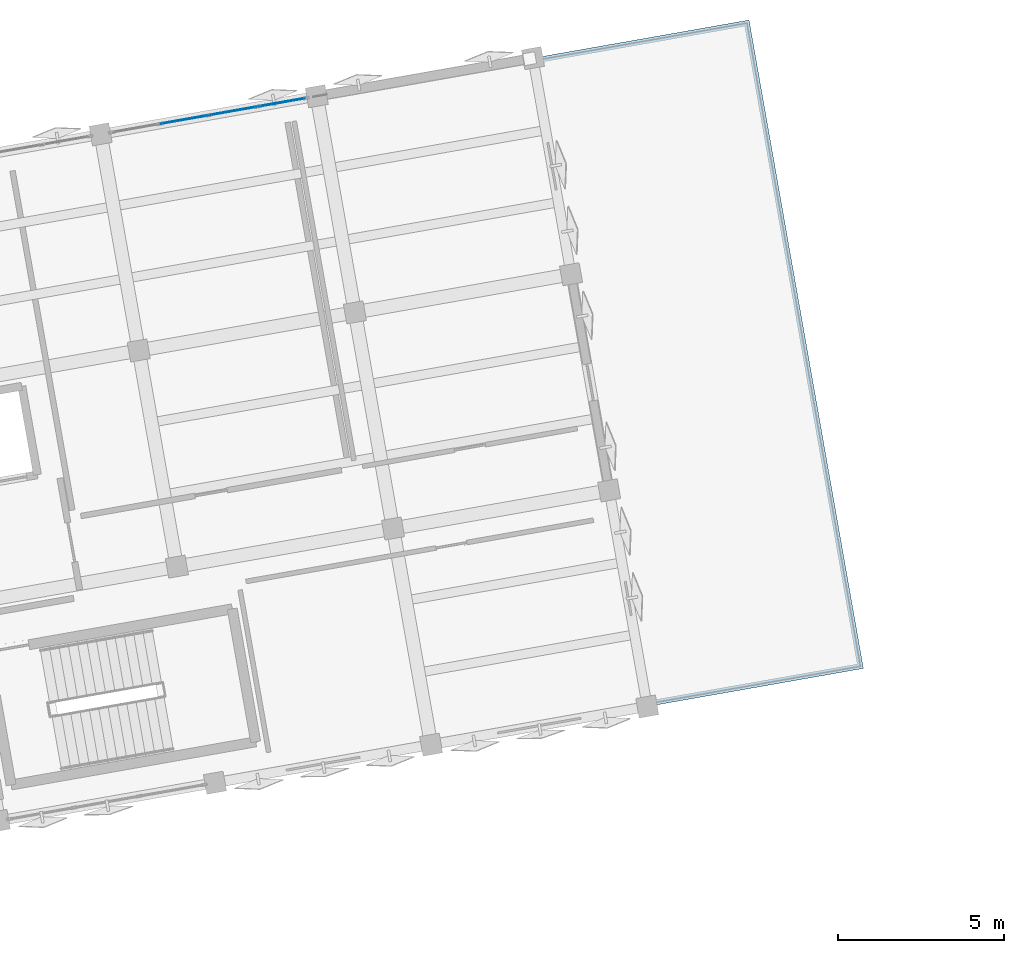
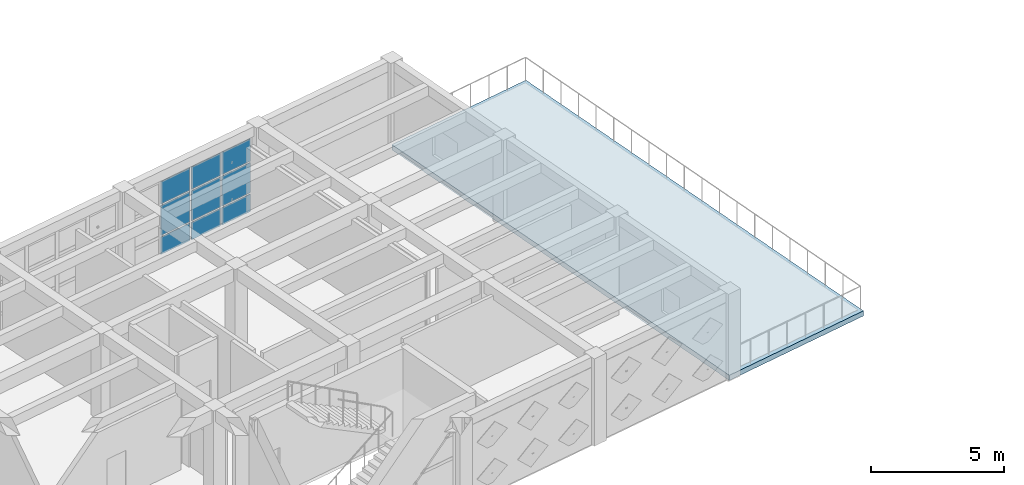
# One storey, part 10 of 18: 9 plates, 1 slab, 1 element without a shape of its own.
"""IFC4 building model written with IfcOpenShell, lengths in metres."""

from ifc_helpers import new_model, si_unit, direction, frame, origin, origin_2d, place, context, subcontext, project, spatial, polyline, rectangle, outline, extrude, material, layer, layer_set, type_object, element, aggregate, save


model = new_model("IFC4")

# Units and contexts
model_context = context("Model", 3, precision=1e-05, world=origin(), true_north=direction((0.0, 1.0)))
body_context = subcontext(model_context, "Body", "Model", "MODEL_VIEW")
ifc_project = project(units=[si_unit("LENGTHUNIT", "METRE"), si_unit("AREAUNIT", "SQUARE_METRE"), si_unit("VOLUMEUNIT", "CUBIC_METRE"), si_unit("PLANEANGLEUNIT", "RADIAN"), si_unit("MASSUNIT", "GRAM", prefix="KILO")], contexts=[model_context])

# Site, building, storey
site_placement = place(None, origin())
site = spatial("IfcSite", under=ifc_project, at=site_placement, CompositionType="ELEMENT")
building_placement = place(site_placement, origin())
building = spatial("IfcBuilding", under=site, at=building_placement, Name="Kharisveld Research Institute", CompositionType="ELEMENT")
storey_placement = place(building_placement, frame((0.0, 0.0, 36.60009765625)))
storey = spatial("IfcBuildingStorey", under=building, at=storey_placement, Name="L08", CompositionType="ELEMENT", Elevation=36.60009765625)

# Curtain wall, plates
ifc_material_1 = material(Name="Thermally Broken Aluminium Curtain Wall", Category="aluminium")
ifc_layer_1 = layer(ifc_material_1, 0.159912109375)
ifc_layer_set_1 = layer_set([ifc_layer_1], Name="CW_SYS_04")
curtain_wall_type = type_object("IfcCurtainWallType", Name="CW_SYS_04", PredefinedType="NOTDEFINED", material=ifc_layer_set_1)
curtain_wall_placement = place(storey_placement, origin())
curtain_wall = element("IfcCurtainWall", 1, at=curtain_wall_placement, inside=storey, type_object=curtain_wall_type, Name="CW:V1:L08:N3", PredefinedType="NOTDEFINED")
ifc_material_2 = material(Name="Low-E Double Glazing", Category="glass")
ifc_layer_2 = layer(ifc_material_2, 0.028076171875)
ifc_layer_set_2 = layer_set([ifc_layer_2], Name="CW_PNL_GLZ")
plate_type = type_object("IfcPlateType", Name="CW_PNL_GLZ", PredefinedType="CURTAIN_PANEL", material=ifc_layer_set_2)
plate_1_placement = place(storey_placement, frame((23.77099609375, 58.389892578125, 0.06494140625), z_axis=(0.0, 0.0, 1.0), x_axis=(0.984807742174, 0.173648239132, 0.0)))
plate_1 = element("IfcPlate", 2, at=plate_1_placement, type_object=plate_type, Name="CW-04 panel 2.1", PredefinedType="CURTAIN_PANEL", context=body_context, shape_type="SweptSolid", body=[
    extrude(rectangle(XDim=1.4326171875, YDim=0.028076171875, at=origin_2d()), origin(), (0.0, 0.0, 1.0), 0.802490234375),
])
plate_2_placement = place(storey_placement, frame((23.77099609375, 58.389892578125, 0.9326171875), z_axis=(0.0, 0.0, 1.0), x_axis=(0.984807742174, 0.173648239132, 0.0)))
plate_2 = element("IfcPlate", 3, at=plate_2_placement, type_object=plate_type, Name="CW-04 panel 2.2", PredefinedType="CURTAIN_PANEL", context=body_context, shape_type="SweptSolid", body=[
    extrude(rectangle(XDim=1.4326171875, YDim=0.028076171875, at=origin_2d()), origin(), (0.0, 0.0, 1.0), 1.385009765625),
])
plate_3_placement = place(storey_placement, frame((23.77099609375, 58.389892578125, 2.38232421875), z_axis=(0.0, 0.0, 1.0), x_axis=(0.984807742174, 0.173648239132, 0.0)))
plate_3 = element("IfcPlate", 4, at=plate_3_placement, type_object=plate_type, Name="CW-04 panel 2.3", PredefinedType="CURTAIN_PANEL", context=body_context, shape_type="SweptSolid", body=[
    extrude(rectangle(XDim=1.4326171875, YDim=0.028076171875, at=origin_2d()), origin(), (0.0, 0.0, 1.0), 1.032470703125),
])
plate_4_placement = place(storey_placement, frame((25.250732421875, 58.65087890625, 0.06494140625), z_axis=(0.0, 0.0, 1.0), x_axis=(0.984807742174, 0.173648239132, 0.0)))
plate_4 = element("IfcPlate", 5, at=plate_4_placement, type_object=plate_type, Name="CW-04 panel 3.1", PredefinedType="CURTAIN_PANEL", context=body_context, shape_type="SweptSolid", body=[
    extrude(rectangle(XDim=1.4326171875, YDim=0.028076171875, at=origin_2d()), origin(), (0.0, 0.0, 1.0), 0.802490234375),
])
plate_5_placement = place(storey_placement, frame((25.250732421875, 58.65087890625, 0.9326171875), z_axis=(0.0, 0.0, 1.0), x_axis=(0.984807742174, 0.173648239132, 0.0)))
plate_5 = element("IfcPlate", 6, at=plate_5_placement, type_object=plate_type, Name="CW-04 panel 3.2", PredefinedType="CURTAIN_PANEL", context=body_context, shape_type="SweptSolid", body=[
    extrude(rectangle(XDim=1.4326171875, YDim=0.028076171875, at=origin_2d()), origin(), (0.0, 0.0, 1.0), 1.385009765625),
])
plate_6_placement = place(storey_placement, frame((25.250732421875, 58.65087890625, 2.38232421875), z_axis=(0.0, 0.0, 1.0), x_axis=(0.984807742174, 0.173648239132, 0.0)))
plate_6 = element("IfcPlate", 7, at=plate_6_placement, type_object=plate_type, Name="CW-04 panel 3.3", PredefinedType="CURTAIN_PANEL", context=body_context, shape_type="SweptSolid", body=[
    extrude(rectangle(XDim=1.4326171875, YDim=0.028076171875, at=origin_2d()), origin(), (0.0, 0.0, 1.0), 1.032470703125),
])
plate_7_placement = place(storey_placement, frame((26.713134765625, 58.90869140625, 0.06494140625), z_axis=(0.0, 0.0, 1.0), x_axis=(0.984807742174, 0.173648239132, 0.0)))
plate_7 = element("IfcPlate", 8, at=plate_7_placement, type_object=plate_type, Name="CW-04 panel 4.1", PredefinedType="CURTAIN_PANEL", context=body_context, shape_type="SweptSolid", body=[
    extrude(rectangle(XDim=1.3974609375, YDim=0.028076171875, at=origin_2d()), origin(), (0.0, 0.0, 1.0), 0.802490234375),
])
plate_8_placement = place(storey_placement, frame((26.713134765625, 58.90869140625, 0.9326171875), z_axis=(0.0, 0.0, 1.0), x_axis=(0.984807742174, 0.173648239132, 0.0)))
plate_8 = element("IfcPlate", 9, at=plate_8_placement, type_object=plate_type, Name="CW-04 panel 4.2", PredefinedType="CURTAIN_PANEL", context=body_context, shape_type="SweptSolid", body=[
    extrude(rectangle(XDim=1.3974609375, YDim=0.028076171875, at=origin_2d()), origin(), (0.0, 0.0, 1.0), 1.385009765625),
])
plate_9_placement = place(storey_placement, frame((26.713134765625, 58.90869140625, 2.38232421875), z_axis=(0.0, 0.0, 1.0), x_axis=(0.984807742174, 0.173648239132, 0.0)))
plate_9 = element("IfcPlate", 10, at=plate_9_placement, type_object=plate_type, Name="CW-04 panel 4.3", PredefinedType="CURTAIN_PANEL", context=body_context, shape_type="SweptSolid", body=[
    extrude(rectangle(XDim=1.3974609375, YDim=0.028076171875, at=origin_2d()), origin(), (0.0, 0.0, 1.0), 1.032470703125),
])
aggregate(curtain_wall, [plate_1, plate_2, plate_3, plate_4, plate_5, plate_6, plate_7, plate_8, plate_9])

# Slab
ifc_material_3 = material(Name="Concrete C40/50", Category="concrete")
ifc_layer_3 = layer(ifc_material_3, 0.235107421875)
ifc_layer_set_3 = layer_set([ifc_layer_3], Name="SL_EXT_235")
slab_type = type_object("IfcSlabType", Name="SL_EXT_235", PredefinedType="FLOOR", material=ifc_layer_set_3)
slab_placement = place(storey_placement, frame((0.0, 0.0, -0.235107421875)))
element("IfcSlab", 11, at=slab_placement, inside=storey, type_object=slab_type, Name="SLAB:V1:L08:TERRACE", PredefinedType="FLOOR", context=body_context, shape_type="SweptSolid", body=[
    extrude(outline(polyline([(37.69873046875, 40.740478515625), (44.198486328125, 41.886474609375), (40.76025390625, 61.3857421875), (34.260498046875, 60.239501953125), (37.69873046875, 40.740478515625)])), origin(), (0.0, 0.0, 1.0), 0.235107421875),
])

save(model, "model.ifc")
